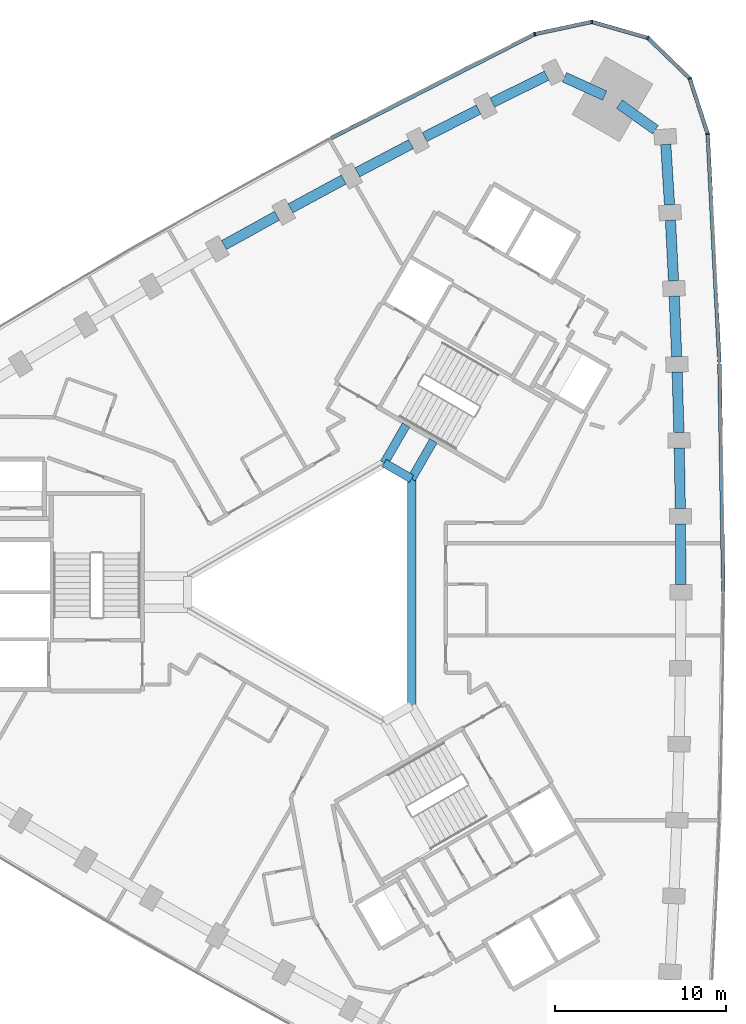
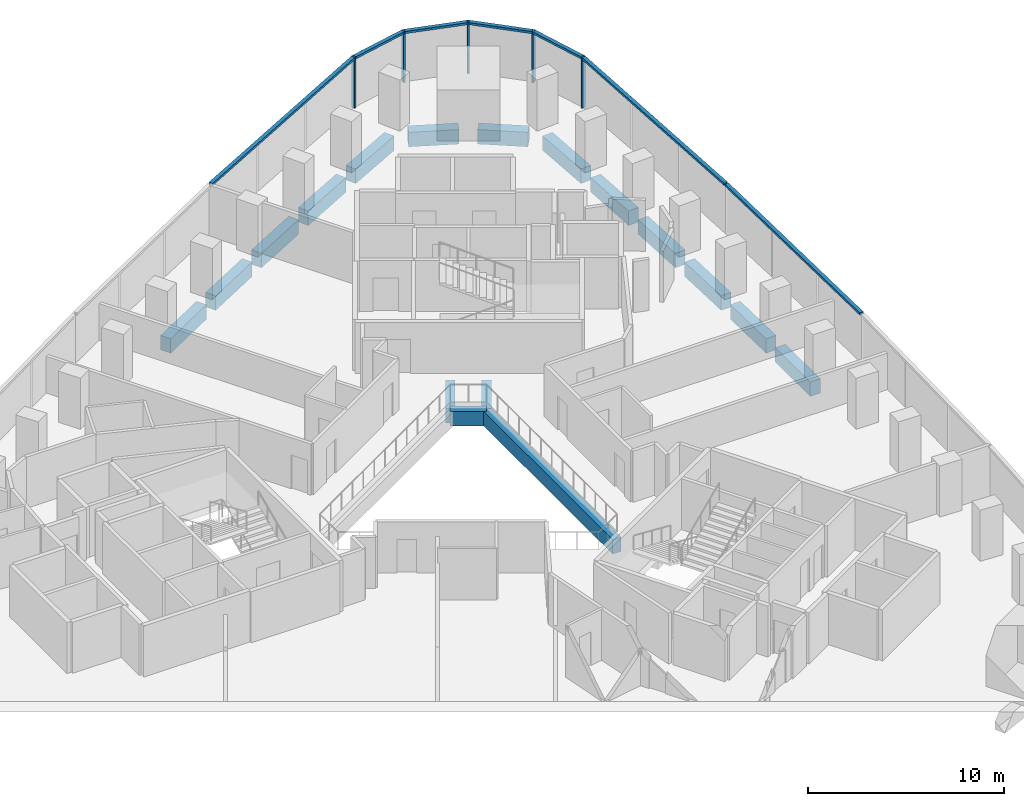
# One storey, part 5 of 12: 17 beams, 12 members, 2 elements without a shape of their own.
"""IFC4 building model written with IfcOpenShell, lengths in metres."""

from ifc_helpers import new_model, si_unit, direction, frame, origin, origin_2d, place, context, subcontext, project, spatial, rectangle, extrude, material, material_profile, profile_set, type_object, element, aggregate, save


model = new_model("IFC4")

# Units and contexts
model_context = context("Model", 3, precision=1e-05, world=origin(), true_north=direction((0.0, 1.0)))
body_context = subcontext(model_context, "Body", "Model", "MODEL_VIEW")
ifc_project = project(units=[si_unit("LENGTHUNIT", "METRE"), si_unit("AREAUNIT", "SQUARE_METRE"), si_unit("VOLUMEUNIT", "CUBIC_METRE"), si_unit("PLANEANGLEUNIT", "RADIAN"), si_unit("MASSUNIT", "GRAM", prefix="KILO")], contexts=[model_context])

# Site, building, storey
site_placement = place(None, origin())
site = spatial("IfcSite", under=ifc_project, at=site_placement, CompositionType="ELEMENT")
building_placement = place(site_placement, origin())
building = spatial("IfcBuilding", under=site, at=building_placement, Name="Tamra Quay Hotel Tower", CompositionType="ELEMENT")
storey_placement = place(building_placement, frame((0.0, 0.0, 93.800048828125)))
storey = spatial("IfcBuildingStorey", under=building, at=storey_placement, Name="L22", CompositionType="ELEMENT", Elevation=93.800048828125)

# Beams
ifc_material_1 = material(Name="Concrete M60", Category="concrete")
ifc_material_profile_1 = material_profile(ifc_material_1, rectangle(XDim=0.5, YDim=0.89990234375, at=origin_2d()), Name="ATRIUM EDGE BEAM RC 500x900")
ifc_profile_set_1 = profile_set([ifc_material_profile_1], Name="Concrete M60")
beam_type_1 = type_object("IfcBeamType", Name="ATRIUM EDGE BEAM RC 500x900", PredefinedType="BEAM", material=ifc_profile_set_1)
beam_1_placement = place(storey_placement, frame((4.89990234375, 6.639404296875, -0.875), z_axis=(0.0, -1.0, 0.0), x_axis=(1.0, 0.0, 0.0)))
element("IfcBeam", 1, at=beam_1_placement, inside=storey, type_object=beam_type_1, Name="BM-AB0-L22", PredefinedType="BEAM", context=body_context, shape_type="SweptSolid", body=[
    extrude(rectangle(XDim=0.5, YDim=0.89990234375, at=origin_2d()), origin(), (0.0, 0.0, 1.0), 13.27880859375),
])
beam_2_placement = place(storey_placement, frame((3.300048828125, 7.563232421875, -0.875), z_axis=(0.865989712182, -0.500061814573, 0.0), x_axis=(0.500061814573, 0.865989712182, 0.0)))
element("IfcBeam", 2, at=beam_2_placement, inside=storey, type_object=beam_type_1, Name="BM-AB5-L22", PredefinedType="BEAM", context=body_context, shape_type="SweptSolid", body=[
    extrude(rectangle(XDim=0.5, YDim=0.89990234375, at=origin_2d()), origin(), (0.0, 0.0, 1.0), 1.847412109375),
])
ifc_material_profile_2 = material_profile(ifc_material_1, rectangle(XDim=0.5, YDim=0.89990234375, at=origin_2d()), Name="ATRIUM TIE BEAM RC 500x900")
ifc_profile_set_2 = profile_set([ifc_material_profile_2], Name="Concrete M60")
beam_type_2 = type_object("IfcBeamType", Name="ATRIUM TIE BEAM RC 500x900", PredefinedType="BEAM", material=ifc_profile_set_2)
for number, where, z_axis, x_axis, name in (
    (3, (4.89990234375, 6.639404296875, -0.875), (0.50003311468, 0.866006284171, 0.0), (-0.866006284171, 0.50003311468, 0.0), "BM-TIE-0-L22"),
    (4, (3.300048828125, 7.563232421875, -0.875), (0.499961652204, 0.866047542763, 0.0), (-0.866047542763, 0.499961652204, 0.0), "BM-TIE-5-L22"),
):
    element("IfcBeam", number, at=place(storey_placement, frame(where, z_axis=z_axis, x_axis=x_axis)), inside=storey, type_object=beam_type_2, Name=name, PredefinedType="BEAM", context=body_context, shape_type="SweptSolid", body=[
        extrude(rectangle(XDim=0.5, YDim=0.89990234375, at=origin_2d()), origin(), (0.0, 0.0, 1.0), 2.562255859375),
    ])

# Curtain wall, members
ifc_material_2 = material(Name="Aluminium 6063 anodised dark grey", Category="aluminium")
curtain_wall_type_1 = type_object("IfcCurtainWallType", Name="CW1 CURTAIN WALL", PredefinedType="NOTDEFINED", material=ifc_material_2)
curtain_wall_1_placement = place(storey_placement, origin())
curtain_wall_1 = element("IfcCurtainWall", 5, at=curtain_wall_1_placement, inside=storey, type_object=curtain_wall_type_1, Name="CW1 east face L22", PredefinedType="NOTDEFINED")
ifc_material_profile_3 = material_profile(ifc_material_2, rectangle(XDim=0.219970703125, YDim=0.10009765625, at=origin_2d()), Name="MULLION 100X220")
ifc_profile_set_3 = profile_set([ifc_material_profile_3], Name="Aluminium 6063 anodised dark grey")
member_type_1 = type_object("IfcMemberType", Name="MULLION CW1 Z2", PredefinedType="MULLION", material=ifc_profile_set_3)
member_1_placement = place(storey_placement, frame((22.226318359375, 26.81787109375, 0.0), z_axis=(0.0, 0.0, 1.0), x_axis=(0.982419091866, 0.186688853275, 0.0)))
member_1 = element("IfcMember", 6, at=member_1_placement, type_object=member_type_1, Name="CW1 mullion L22.E.13", PredefinedType="MULLION", context=body_context, shape_type="SweptSolid", body=[
    extrude(rectangle(XDim=0.219970703125, YDim=0.10009765625, at=origin_2d()), origin(), (0.0, 0.0, 1.0), 3.175048828125),
])
member_2_placement = place(storey_placement, frame((21.1767578125, 30.062255859375, 0.0), z_axis=(0.0, 0.0, 1.0), x_axis=(0.848503146373, 0.529190334941, 0.0)))
member_2 = element("IfcMember", 7, at=member_2_placement, type_object=member_type_1, Name="CW1 mullion L22.E.14", PredefinedType="MULLION", context=body_context, shape_type="SweptSolid", body=[
    extrude(rectangle(XDim=0.219970703125, YDim=0.10009765625, at=origin_2d()), origin(), (0.0, 0.0, 1.0), 3.175048828125),
])
member_3_placement = place(storey_placement, frame((18.724853515625, 32.43212890625, 0.0), z_axis=(0.0, 0.0, 1.0), x_axis=(0.5, 0.866025403784, 0.0)))
member_3 = element("IfcMember", 8, at=member_3_placement, type_object=member_type_1, Name="CW1 mullion L22.E.15", PredefinedType="MULLION", context=body_context, shape_type="SweptSolid", body=[
    extrude(rectangle(XDim=0.219970703125, YDim=0.10009765625, at=origin_2d()), origin(), (0.0, 0.0, 1.0), 3.175048828125),
])
member_4_placement = place(storey_placement, frame((15.4462890625, 33.370849609375, 0.0), z_axis=(0.0, 0.0, 1.0), x_axis=(0.03404070031, 0.999420447421, 0.0)))
member_4 = element("IfcMember", 9, at=member_4_placement, type_object=member_type_1, Name="CW1 mullion L22.E.16", PredefinedType="MULLION", context=body_context, shape_type="SweptSolid", body=[
    extrude(rectangle(XDim=0.219970703125, YDim=0.10009765625, at=origin_2d()), origin(), (0.0, 0.0, 1.0), 3.175048828125),
])

# Curtain wall, member
curtain_wall_type_2 = type_object("IfcCurtainWallType", Name="CW2 CURTAIN WALL", PredefinedType="NOTDEFINED", material=ifc_material_2)
curtain_wall_2_placement = place(storey_placement, origin())
curtain_wall_2 = element("IfcCurtainWall", 10, at=curtain_wall_2_placement, inside=storey, type_object=curtain_wall_type_2, Name="CW2 north-west face L22", PredefinedType="NOTDEFINED")
ifc_material_profile_4 = material_profile(ifc_material_2, rectangle(XDim=0.219970703125, YDim=0.10009765625, at=origin_2d()), Name="MULLION 100X220")
ifc_profile_set_4 = profile_set([ifc_material_profile_4], Name="Aluminium 6063 anodised dark grey")
member_type_2 = type_object("IfcMemberType", Name="MULLION CW2 Z2", PredefinedType="MULLION", material=ifc_profile_set_4)
member_5_placement = place(storey_placement, frame((12.111572265625, 32.657470703125, 0.0), z_axis=(0.0, 0.0, 1.0), x_axis=(-0.329532256394, 0.944144317356, 0.0)))
member_5 = element("IfcMember", 11, at=member_5_placement, type_object=member_type_2, Name="CW2 mullion L22.NW.1", PredefinedType="MULLION", context=body_context, shape_type="SweptSolid", body=[
    extrude(rectangle(XDim=0.219970703125, YDim=0.10009765625, at=origin_2d()), origin(), (0.0, 0.0, 1.0), 3.175048828125),
])

# Beams
ifc_material_profile_5 = material_profile(ifc_material_1, rectangle(XDim=0.60009765625, YDim=0.89990234375, at=origin_2d()), Name="SPANDREL BEAM RC 600x900")
ifc_profile_set_5 = profile_set([ifc_material_profile_5], Name="Concrete M60")
beam_type_3 = type_object("IfcBeamType", Name="SPANDREL BEAM RC 600x900", PredefinedType="SPANDREL", material=ifc_profile_set_5)
beam_3_placement = place(storey_placement, frame((20.656494140625, 0.449951171875, -0.875), z_axis=(-0.005716160055, 0.999983662624, 0.0), x_axis=(-0.999983662624, -0.005716160055, 0.0)))
element("IfcBeam", 12, at=beam_3_placement, inside=storey, type_object=beam_type_3, Name="BM-SP2-006-L22", PredefinedType="SPANDREL", context=body_context, shape_type="SweptSolid", body=[
    extrude(rectangle(XDim=0.60009765625, YDim=0.89990234375, at=origin_2d()), origin(), (0.0, 0.0, 1.0), 3.544921875),
])
beam_4_placement = place(storey_placement, frame((20.6259765625, 4.894775390625, -0.875), z_axis=(-0.017149781635, 0.99985293168, 0.0), x_axis=(-0.99985293168, -0.017149781635, 0.0)))
element("IfcBeam", 13, at=beam_4_placement, inside=storey, type_object=beam_type_3, Name="BM-SP2-007-L22", PredefinedType="SPANDREL", context=body_context, shape_type="SweptSolid", body=[
    extrude(rectangle(XDim=0.60009765625, YDim=0.89990234375, at=origin_2d()), origin(), (0.0, 0.0, 1.0), 3.544677734375),
])
for number, where, z_axis, x_axis, name in (
    (14, (20.544677734375, 9.338623046875, -0.875), (-0.02858140136, 0.999591468299, 0.0), (-0.999591468299, -0.02858140136, 0.0), "BM-SP2-008-L22"),
    (15, (20.41259765625, 13.781494140625, -0.875), (-0.039946034354, 0.999201838639, 0.0), (-0.999201838639, -0.039946034354, 0.0), "BM-SP2-009-L22"),
):
    element("IfcBeam", number, at=place(storey_placement, frame(where, z_axis=z_axis, x_axis=x_axis)), inside=storey, type_object=beam_type_3, Name=name, PredefinedType="SPANDREL", context=body_context, shape_type="SweptSolid", body=[
        extrude(rectangle(XDim=0.60009765625, YDim=0.89990234375, at=origin_2d()), origin(), (0.0, 0.0, 1.0), 3.544921875),
    ])
beam_5_placement = place(storey_placement, frame((20.22998046875, 18.22265625, -0.875), z_axis=(-0.051311627905, 0.998682690769, 0.0), x_axis=(-0.998682690769, -0.051311627905, 0.0)))
element("IfcBeam", 16, at=beam_5_placement, inside=storey, type_object=beam_type_3, Name="BM-SP2-010-L22", PredefinedType="SPANDREL", context=body_context, shape_type="SweptSolid", body=[
    extrude(rectangle(XDim=0.60009765625, YDim=0.89990234375, at=origin_2d()), origin(), (0.0, 0.0, 1.0), 3.544677734375),
])
beam_6_placement = place(storey_placement, frame((19.99658203125, 22.661376953125, -0.875), z_axis=(-0.062669833409, 0.99803431403, 0.0), x_axis=(-0.99803431403, -0.062669833409, 0.0)))
element("IfcBeam", 17, at=beam_6_placement, inside=storey, type_object=beam_type_3, Name="BM-SP2-011-L22", PredefinedType="SPANDREL", context=body_context, shape_type="SweptSolid", body=[
    extrude(rectangle(XDim=0.60009765625, YDim=0.89990234375, at=origin_2d()), origin(), (0.0, 0.0, 1.0), 3.545166015625),
])
for number, where, z_axis, x_axis, name in (
    (18, (19.168701171875, 27.060302734375, -0.875), (-0.814339289036, 0.580389112865, 0.0), (-0.580389112865, -0.814339289036, 0.0), "BM-SP2-012-L22"),
    (19, (16.202392578125, 29.057861328125, -0.875), (-0.909819048293, 0.415005179923, 0.0), (-0.415005179923, -0.909819048293, 0.0), "BM-SP2-013-L22"),
):
    element("IfcBeam", number, at=place(storey_placement, frame(where, z_axis=z_axis, x_axis=x_axis)), inside=storey, type_object=beam_type_3, Name=name, PredefinedType="SPANDREL", context=body_context, shape_type="SweptSolid", body=[
        extrude(rectangle(XDim=0.60009765625, YDim=0.89990234375, at=origin_2d()), origin(), (0.0, 0.0, 1.0), 2.5849609375),
    ])
beam_7_placement = place(storey_placement, frame((12.802001953125, 30.22509765625, -0.875), z_axis=(-0.895622275285, -0.444815399928, 0.0), x_axis=(0.444815399928, -0.895622275285, 0.0)))
element("IfcBeam", 20, at=beam_7_placement, inside=storey, type_object=beam_type_3, Name="BM-SP2-014-L22", PredefinedType="SPANDREL", context=body_context, shape_type="SweptSolid", body=[
    extrude(rectangle(XDim=0.60009765625, YDim=0.89990234375, at=origin_2d()), origin(), (0.0, 0.0, 1.0), 3.545166015625),
])
beam_8_placement = place(storey_placement, frame((8.8232421875, 28.243408203125, -0.875), z_axis=(-0.890551251107, -0.45488291807, 0.0), x_axis=(0.45488291807, -0.890551251107, 0.0)))
element("IfcBeam", 21, at=beam_8_placement, inside=storey, type_object=beam_type_3, Name="BM-SP2-015-L22", PredefinedType="SPANDREL", context=body_context, shape_type="SweptSolid", body=[
    extrude(rectangle(XDim=0.60009765625, YDim=0.89990234375, at=origin_2d()), origin(), (0.0, 0.0, 1.0), 3.544921875),
])
beam_9_placement = place(storey_placement, frame((4.8671875, 26.216796875, -0.875), z_axis=(-0.885322773021, -0.464976975312, 0.0), x_axis=(0.464976975312, -0.885322773021, 0.0)))
element("IfcBeam", 22, at=beam_9_placement, inside=storey, type_object=beam_type_3, Name="BM-SP2-016-L22", PredefinedType="SPANDREL", context=body_context, shape_type="SweptSolid", body=[
    extrude(rectangle(XDim=0.60009765625, YDim=0.89990234375, at=origin_2d()), origin(), (0.0, 0.0, 1.0), 3.544677734375),
])
for number, where, z_axis, x_axis, name in (
    (23, (0.9345703125, 24.1455078125, -0.875), (-0.879950887438, -0.475064664753, 0.0), (0.475064664753, -0.879950887438, 0.0), "BM-SP2-017-L22"),
    (24, (-2.97412109375, 22.029296875, -0.875), (-0.874475461638, -0.48506975477, 0.0), (0.48506975477, -0.874475461638, 0.0), "BM-SP2-018-L22"),
):
    element("IfcBeam", number, at=place(storey_placement, frame(where, z_axis=z_axis, x_axis=x_axis)), inside=storey, type_object=beam_type_3, Name=name, PredefinedType="SPANDREL", context=body_context, shape_type="SweptSolid", body=[
        extrude(rectangle(XDim=0.60009765625, YDim=0.89990234375, at=origin_2d()), origin(), (0.0, 0.0, 1.0), 3.544921875),
    ])

# Member
ifc_material_profile_6 = material_profile(ifc_material_2, rectangle(XDim=0.219970703125, YDim=0.139892578125, at=origin_2d()), Name="TRANSOM 220X140")
ifc_profile_set_6 = profile_set([ifc_material_profile_6], Name="Aluminium 6063 anodised dark grey")
member_type_3 = type_object("IfcMemberType", Name="TRANSOM CW1 Z2", PredefinedType="USERDEFINED", material=ifc_profile_set_6)
member_6_placement = place(storey_placement, frame((23.14453125, 0.050048828125, 3.10498046875), z_axis=(-0.017138663343, 0.999853122323, 0.0), x_axis=(-0.999853122323, -0.017138663343, 0.0)))
member_6 = element("IfcMember", 25, at=member_6_placement, type_object=member_type_3, Name="CW1 transom L22.E.7", ObjectType="TRANSOM", PredefinedType="USERDEFINED", context=body_context, shape_type="SweptSolid", body=[
    extrude(rectangle(XDim=0.219970703125, YDim=0.139892578125, at=origin_2d()), origin(), (0.0, 0.0, 1.0), 13.319091796875),
])

member_7_placement = place(storey_placement, frame((22.912841796875, 13.46728515625, 3.10498046875), z_axis=(-0.051309919366, 0.998682778551, 0.0), x_axis=(-0.998682778551, -0.051309919366, 0.0)))
member_7 = element("IfcMember", 26, at=member_7_placement, type_object=member_type_3, Name="CW1 transom L22.E.10", ObjectType="TRANSOM", PredefinedType="USERDEFINED", context=body_context, shape_type="SweptSolid", body=[
    extrude(rectangle(XDim=0.219970703125, YDim=0.139892578125, at=origin_2d()), origin(), (0.0, 0.0, 1.0), 13.318115234375),
])

member_8_placement = place(storey_placement, frame((22.2109375, 26.865234375, 3.10498046875), z_axis=(-0.307784937637, 0.951455953875, 0.0), x_axis=(-0.951455953875, -0.307784937637, 0.0)))
member_8 = element("IfcMember", 27, at=member_8_placement, type_object=member_type_3, Name="CW1 transom L22.E.13", ObjectType="TRANSOM", PredefinedType="USERDEFINED", context=body_context, shape_type="SweptSolid", body=[
    extrude(rectangle(XDim=0.219970703125, YDim=0.139892578125, at=origin_2d()), origin(), (0.0, 0.0, 1.0), 3.31005859375),
])

member_9_placement = place(storey_placement, frame((21.140869140625, 30.09716796875, 3.10498046875), z_axis=(-0.719063315741, 0.694944564664, 0.0), x_axis=(-0.694944564664, -0.719063315741, 0.0)))
member_9 = element("IfcMember", 28, at=member_9_placement, type_object=member_type_3, Name="CW1 transom L22.E.14", ObjectType="TRANSOM", PredefinedType="USERDEFINED", context=body_context, shape_type="SweptSolid", body=[
    extrude(rectangle(XDim=0.219970703125, YDim=0.139892578125, at=origin_2d()), origin(), (0.0, 0.0, 1.0), 3.31005859375),
])

member_10_placement = place(storey_placement, frame((18.6767578125, 32.446044921875, 3.10498046875), z_axis=(-0.961393028347, 0.275178932778, 0.0), x_axis=(-0.275178932778, -0.961393028347, 0.0)))
member_10 = element("IfcMember", 29, at=member_10_placement, type_object=member_type_3, Name="CW1 transom L22.E.15", ObjectType="TRANSOM", PredefinedType="USERDEFINED", context=body_context, shape_type="SweptSolid", body=[
    extrude(rectangle(XDim=0.219970703125, YDim=0.139892578125, at=origin_2d()), origin(), (0.0, 0.0, 1.0), 3.31005859375),
])

member_11_placement = place(storey_placement, frame((15.3974609375, 33.3603515625, 3.10498046875), z_axis=(-0.977877907042, -0.209176477928, 0.0), x_axis=(0.209176477928, -0.977877907042, 0.0)))
member_11 = element("IfcMember", 30, at=member_11_placement, type_object=member_type_3, Name="CW1 transom L22.E.16", ObjectType="TRANSOM", PredefinedType="USERDEFINED", context=body_context, shape_type="SweptSolid", body=[
    extrude(rectangle(XDim=0.219970703125, YDim=0.139892578125, at=origin_2d()), origin(), (0.0, 0.0, 1.0), 3.31005859375),
])

aggregate(curtain_wall_1, [member_6, member_7, member_1, member_8, member_2, member_9, member_3, member_10, member_4, member_11])

ifc_material_profile_7 = material_profile(ifc_material_2, rectangle(XDim=0.219970703125, YDim=0.139892578125, at=origin_2d()), Name="TRANSOM 220X140")
ifc_profile_set_7 = profile_set([ifc_material_profile_7], Name="Aluminium 6063 anodised dark grey")
member_type_4 = type_object("IfcMemberType", Name="TRANSOM CW2 Z2", PredefinedType="USERDEFINED", material=ifc_profile_set_7)
member_12_placement = place(storey_placement, frame((12.06689453125, 32.63525390625, 3.10498046875), z_axis=(-0.890537010915, -0.45491079586, 0.0), x_axis=(0.45491079586, -0.890537010915, 0.0)))
member_12 = element("IfcMember", 31, at=member_12_placement, type_object=member_type_4, Name="CW2 transom L22.NW.1", ObjectType="TRANSOM", PredefinedType="USERDEFINED", context=body_context, shape_type="SweptSolid", body=[
    extrude(rectangle(XDim=0.219970703125, YDim=0.139892578125, at=origin_2d()), origin(), (0.0, 0.0, 1.0), 13.318115234375),
])

aggregate(curtain_wall_2, [member_5, member_12])

save(model, "model.ifc")
